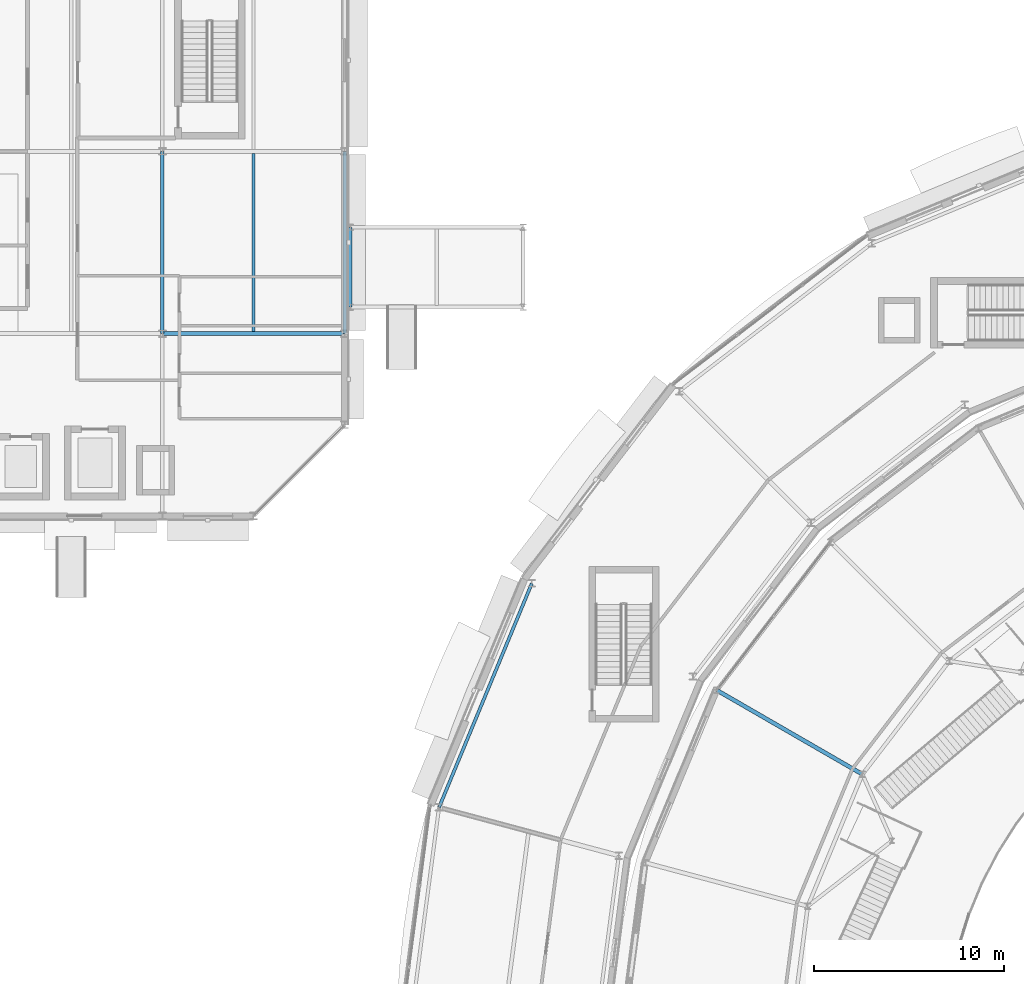
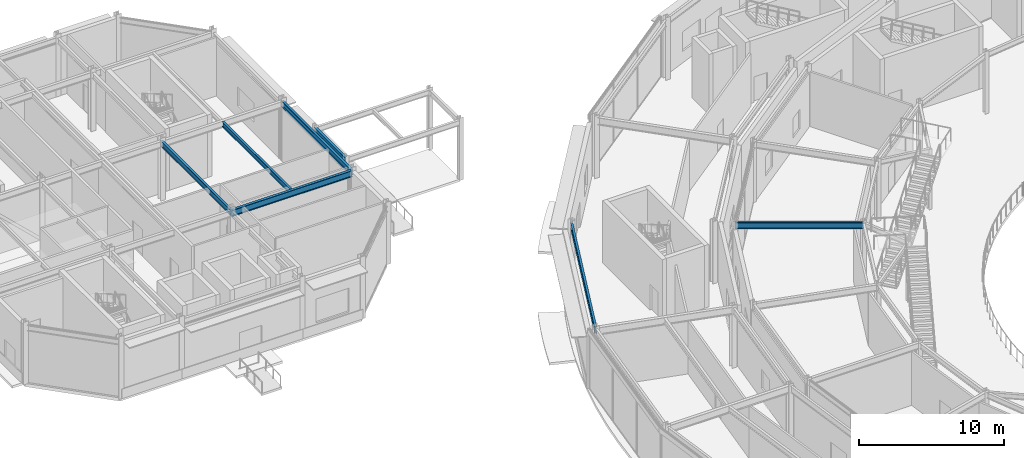
# One storey, part 64 of 168: 7 beams.
"""IFC4 building model written with IfcOpenShell, lengths in metres."""

from ifc_helpers import new_model, si_unit, direction, frame, origin, origin_2d, place, context, subcontext, project, spatial, i_section, extrude, material, material_profile, profile_set, type_object, element, save


model = new_model("IFC4")

# Units and contexts
model_context = context("Model", 3, precision=1e-05, world=origin(), true_north=direction((0.0, 1.0)))
body_context = subcontext(model_context, "Body", "Model", "MODEL_VIEW")
ifc_project = project(units=[si_unit("LENGTHUNIT", "METRE"), si_unit("AREAUNIT", "SQUARE_METRE"), si_unit("VOLUMEUNIT", "CUBIC_METRE"), si_unit("PLANEANGLEUNIT", "RADIAN"), si_unit("MASSUNIT", "GRAM", prefix="KILO")], contexts=[model_context])

# Site, building, storey
site_placement = place(None, origin())
site = spatial("IfcSite", under=ifc_project, at=site_placement, CompositionType="ELEMENT")
building_placement = place(site_placement, origin())
building = spatial("IfcBuilding", under=site, at=building_placement, Name="Almandine Court Research Institute", CompositionType="ELEMENT")
storey_placement = place(building_placement, origin())
storey = spatial("IfcBuildingStorey", under=building, at=storey_placement, Name="L00", CompositionType="ELEMENT", Elevation=0.0)

# Beams
ifc_material = material(Name="Steel ASTM A992 Grade 50", Category="steel")
ifc_material_profile_1 = material_profile(ifc_material, i_section(OverallWidth=0.18994140625, OverallDepth=0.45703125, WebThickness=0.009033203125, FlangeThickness=0.014892578125, at=origin_2d()), Name="W460x74")
ifc_profile_set_1 = profile_set([ifc_material_profile_1], Name="Steel ASTM A992 Grade 50")
beam_type_1 = type_object("IfcBeamType", Name="Beam-B-01", PredefinedType="BEAM", material=ifc_profile_set_1)
beam_1_placement = place(storey_placement, frame((25.199951171875, 93.60009765625, 4.700927734375), z_axis=(0.0, 1.0, 0.0), x_axis=(-1.0, 0.0, 0.0)))
element("IfcBeam", 1, at=beam_1_placement, inside=storey, type_object=beam_type_1, Name="L00 V3 Primary Y Girder", PredefinedType="BEAM", context=body_context, shape_type="SweptSolid", body=[
    extrude(i_section(OverallWidth=0.18994140625, OverallDepth=0.45703125, WebThickness=0.009033203125, FlangeThickness=0.014892578125, at=origin_2d()), origin(), (0.0, 0.0, 1.0), 9.599853515625),
])
ifc_material_profile_2 = material_profile(ifc_material, i_section(OverallWidth=0.178955078125, OverallDepth=0.409912109375, WebThickness=0.009033203125, FlangeThickness=0.013916015625, at=origin_2d()), Name="W410x67")
ifc_profile_set_2 = profile_set([ifc_material_profile_2], Name="Steel ASTM A992 Grade 50")
beam_type_2 = type_object("IfcBeamType", Name="Beam-B-02", PredefinedType="JOIST", material=ifc_profile_set_2)
beam_2_placement = place(storey_placement, frame((30.0, 93.702880859375, 4.72509765625), z_axis=(0.0, 1.0, 0.0), x_axis=(-1.0, 0.0, 0.0)))
element("IfcBeam", 2, at=beam_2_placement, inside=storey, type_object=beam_type_2, Name="L00 V3 Composite Secondary Beam", PredefinedType="JOIST", context=body_context, shape_type="SweptSolid", body=[
    extrude(i_section(OverallWidth=0.178955078125, OverallDepth=0.409912109375, WebThickness=0.009033203125, FlangeThickness=0.013916015625, at=origin_2d()), origin(), (0.0, 0.0, 1.0), 9.39404296875),
])
ifc_material_profile_3 = material_profile(ifc_material, i_section(OverallWidth=0.2109375, OverallDepth=0.5390625, WebThickness=0.011962890625, FlangeThickness=0.01904296875, at=origin_2d()), Name="W530x109")
ifc_profile_set_3 = profile_set([ifc_material_profile_3], Name="Steel ASTM A992 Grade 50")
beam_type_3 = type_object("IfcBeamType", Name="Beam-G-04", PredefinedType="BEAM", material=ifc_profile_set_3)
beam_3_placement = place(storey_placement, frame((25.199951171875, 93.60009765625, 4.659912109375), z_axis=(1.0, 0.0, 0.0), x_axis=(0.0, 1.0, 0.0)))
element("IfcBeam", 3, at=beam_3_placement, inside=storey, type_object=beam_type_3, Name="L00 V3 Primary X Girder", PredefinedType="BEAM", context=body_context, shape_type="SweptSolid", body=[
    extrude(i_section(OverallWidth=0.2109375, OverallDepth=0.5390625, WebThickness=0.011962890625, FlangeThickness=0.01904296875, at=origin_2d()), origin(), (0.0, 0.0, 1.0), 9.60009765625),
])
beam_4_placement = place(storey_placement, frame((62.05810546875, 70.39990234375, 4.801025390625), z_axis=(-0.866015604063, 0.50001697323, 0.0), x_axis=(-0.50001697323, -0.866015604063, 0.0)))
element("IfcBeam", 4, at=beam_4_placement, inside=storey, type_object=beam_type_3, Name="L00 Atrium Gallery Radial Girder", PredefinedType="BEAM", context=body_context, shape_type="SweptSolid", body=[
    extrude(i_section(OverallWidth=0.2109375, OverallDepth=0.5390625, WebThickness=0.011962890625, FlangeThickness=0.01904296875, at=origin_2d()), origin(), (0.0, 0.0, 1.0), 8.849853515625),
])
ifc_material_profile_4 = material_profile(ifc_material, i_section(OverallWidth=0.166015625, OverallDepth=0.534912109375, WebThickness=0.010009765625, FlangeThickness=0.01708984375, at=origin_2d()), Name="W530x85")
ifc_profile_set_4 = profile_set([ifc_material_profile_4], Name="Steel ASTM A992 Grade 50")
beam_type_4 = type_object("IfcBeamType", Name="Beam-G-05-E", PredefinedType="SPANDREL", material=ifc_profile_set_4)
beam_5_placement = place(storey_placement, frame((44.65087890625, 80.449951171875, 4.802978515625), z_axis=(-0.382653578879, -0.923891897665, 0.0), x_axis=(0.923891897665, -0.382653578879, 0.0)))
element("IfcBeam", 5, at=beam_5_placement, inside=storey, type_object=beam_type_4, Name="L00 Drum OUT Ring Beam 10", PredefinedType="SPANDREL", context=body_context, shape_type="SweptSolid", body=[
    extrude(i_section(OverallWidth=0.166015625, OverallDepth=0.534912109375, WebThickness=0.010009765625, FlangeThickness=0.01708984375, at=origin_2d()), origin(), (0.0, 0.0, 1.0), 12.765625),
])
ifc_material_profile_5 = material_profile(ifc_material, i_section(OverallWidth=0.193115234375, OverallDepth=0.466064453125, WebThickness=0.010986328125, FlangeThickness=0.01904296875, at=origin_2d()), Name="W460x97")
ifc_profile_set_5 = profile_set([ifc_material_profile_5], Name="Steel ASTM A992 Grade 50")
beam_type_5 = type_object("IfcBeamType", Name="Beam-G-06-E", PredefinedType="SPANDREL", material=ifc_profile_set_5)
beam_6_placement = place(storey_placement, frame((34.800048828125, 93.60009765625, 4.697021484375), z_axis=(0.0, 1.0, 0.0), x_axis=(-1.0, 0.0, 0.0)))
element("IfcBeam", 6, at=beam_6_placement, inside=storey, type_object=beam_type_5, Name="L00 V3 Primary Y Girder", PredefinedType="SPANDREL", context=body_context, shape_type="SweptSolid", body=[
    extrude(i_section(OverallWidth=0.193115234375, OverallDepth=0.466064453125, WebThickness=0.010986328125, FlangeThickness=0.01904296875, at=origin_2d()), origin(), (0.0, 0.0, 1.0), 9.599853515625),
])
beam_7_placement = place(storey_placement, frame((35.10009765625, 95.0, 4.7900390625), z_axis=(0.0, 1.0, 0.0), x_axis=(-1.0, 0.0, 0.0)))
element("IfcBeam", 7, at=beam_7_placement, inside=storey, type_object=beam_type_5, Name="L00 DAL-NW Primary Y Girder", PredefinedType="SPANDREL", context=body_context, shape_type="SweptSolid", body=[
    extrude(i_section(OverallWidth=0.193115234375, OverallDepth=0.466064453125, WebThickness=0.010986328125, FlangeThickness=0.01904296875, at=origin_2d()), origin(), (0.0, 0.0, 1.0), 4.199951171875),
])

save(model, "model.ifc")
